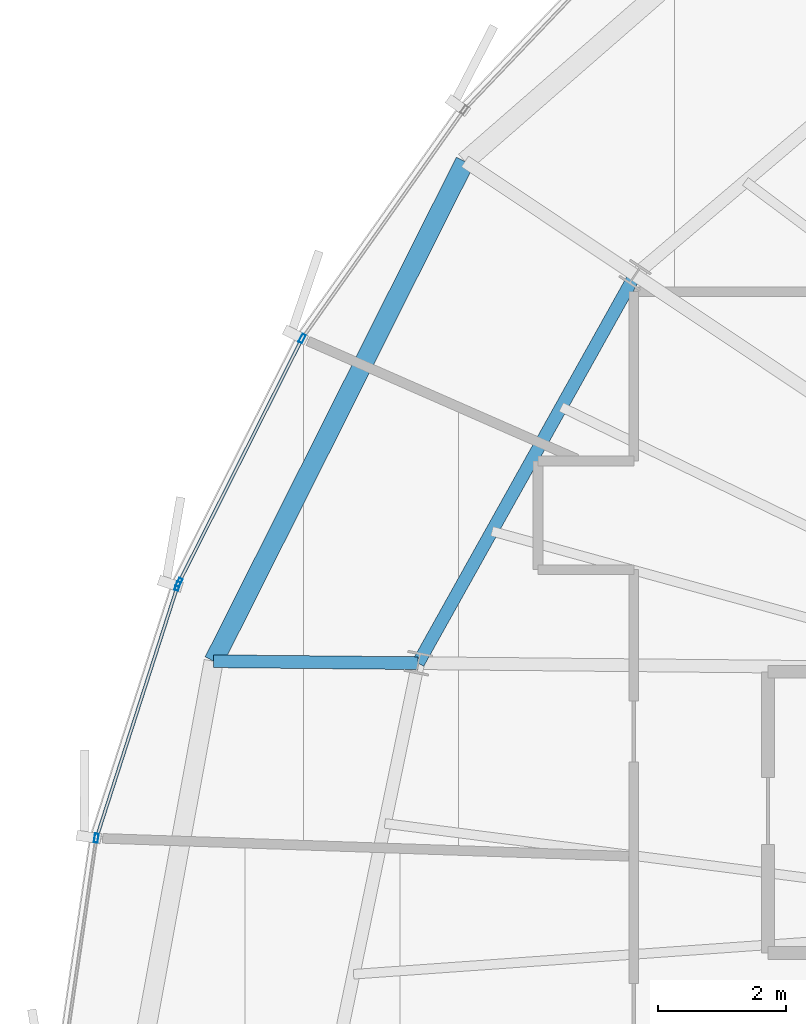
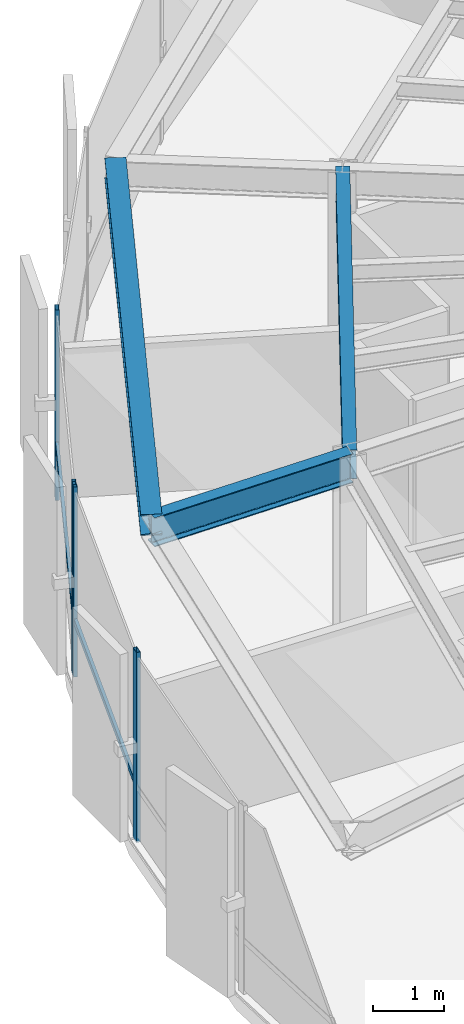
# One storey, part 10 of 35: 6 members, 3 beams, 2 elements without a shape of their own.
"""IFC4 building model written with IfcOpenShell, lengths in metres."""

import ifcopenshell
import ifcopenshell.guid

model = None  # the IFC model being written
_history = None  # IfcOwnerHistory: only IFC2X3 demands one
_inside = {}  # id of a spatial element -> (the spatial element, [elements in it])
_under = {}  # id of a project, library or spatial element -> (it, [spatial elements below it])
_declared = {}  # id of a project -> (the project, [libraries it declares])
_typed = {}  # id of a type object -> (the type object, [elements of that type])
_made_of = {}  # id of a material, layer set ... -> (it, [elements and type objects made of it])


def new_model(schema):
    """Start an empty IFC model of exactly this schema.

    Asked for "IFC4X3", IfcOpenShell would pick the latest addendum, in which some entities
    have other attributes; the version numbers below select the first issue.
    IFC2X3 requires an IfcOwnerHistory on every rooted entity: one is made here for all.
    """
    global model, _history
    if schema == "IFC4X3":
        model = ifcopenshell.file(schema_version=(4, 3, 0, 0))
    else:
        model = ifcopenshell.file(schema=schema)
    _inside.clear()
    _under.clear()
    _declared.clear()
    _typed.clear()
    _made_of.clear()
    _history = None
    if model.schema == "IFC2X3":
        org = make("IfcOrganization", Name="unknown")
        user = make(
            "IfcPersonAndOrganization",
            ThePerson=make("IfcPerson", FamilyName="unknown"),
            TheOrganization=org,
        )
        app = make(
            "IfcApplication",
            ApplicationDeveloper=org,
            Version="unknown",
            ApplicationFullName="unknown",
            ApplicationIdentifier="unknown",
        )
        _history = make(
            "IfcOwnerHistory",
            OwningUser=user,
            OwningApplication=app,
            ChangeAction="ADDED",
            CreationDate=0,
        )
    return model


def make(cls, **values):
    """One entity of the class cls with the attributes given. An attribute that is None is left unset."""
    return model.create_entity(
        cls, **{name: value for name, value in values.items() if value is not None}
    )


def rooted(cls, **values):
    """An entity with a GlobalId (a new one), such as an element, a storey or a relation."""
    return make(cls, GlobalId=ifcopenshell.guid.new(), OwnerHistory=_history, **values)


def si_unit(unit_type, name, prefix=None):
    """IfcSIUnit, for example si_unit("LENGTHUNIT", "METRE", prefix="MILLI")."""
    return make("IfcSIUnit", UnitType=unit_type, Prefix=prefix, Name=name)


def assignment(units):
    """IfcUnitAssignment: the units of a project."""
    return None if units is None else make("IfcUnitAssignment", Units=units)


def point(xyz):
    """IfcCartesianPoint."""
    return None if xyz is None else make("IfcCartesianPoint", Coordinates=xyz)


def direction(xyz):
    """IfcDirection."""
    return None if xyz is None else make("IfcDirection", DirectionRatios=xyz)


def frame(location, z_axis=None, x_axis=None):
    """IfcAxis2Placement3D, a coordinate frame: its origin and axes. An axis left out is left unset."""
    return make(
        "IfcAxis2Placement3D",
        Location=point(location),
        Axis=direction(z_axis),
        RefDirection=direction(x_axis),
    )


def frame_2d(location, x_axis=None):
    """IfcAxis2Placement2D, a coordinate frame in the plane: its origin and x axis."""
    return make(
        "IfcAxis2Placement2D", Location=point(location), RefDirection=direction(x_axis)
    )


def origin():
    """The frame at (0, 0, 0) with its axes left unset."""
    return frame((0.0, 0.0, 0.0))


def origin_2d():
    """The frame at (0, 0) in the plane with its x axis left unset."""
    return frame_2d((0.0, 0.0))


def place(relative_to, where):
    """IfcLocalPlacement: puts the frame where relative to a parent placement (None: the world)."""
    return make(
        "IfcLocalPlacement", PlacementRelTo=relative_to, RelativePlacement=where
    )


def context(
    kind, dimensions, precision=None, world=None, true_north=None, identifier=None
):
    """IfcGeometricRepresentationContext, for example the 3D "Model" context."""
    return make(
        "IfcGeometricRepresentationContext",
        ContextIdentifier=identifier,
        ContextType=kind,
        CoordinateSpaceDimension=dimensions,
        Precision=precision,
        WorldCoordinateSystem=world,
        TrueNorth=true_north,
    )


def subcontext(parent, identifier, kind, view, scale=None):
    """IfcGeometricRepresentationSubContext, for example "Body" below "Model"."""
    return make(
        "IfcGeometricRepresentationSubContext",
        ContextIdentifier=identifier,
        ContextType=kind,
        ParentContext=parent,
        TargetScale=scale,
        TargetView=view,
    )


def project(units=None, contexts=None):
    """IfcProject with its units and contexts."""
    return rooted(
        "IfcProject",
        Name="project",
        RepresentationContexts=contexts,
        UnitsInContext=assignment(units),
    )


def spatial(cls, under=None, at=None, **own):
    """A site, building, storey or space (cls), placed at a placement, below another one or the project."""
    s = rooted(cls, ObjectPlacement=at, **own)
    if under is not None:
        _under.setdefault(under.id(), (under, []))[1].append(s)
    return s


def profile(cls, at=None, kind="AREA", **sizes):
    """A parametric profile (cls). Its sizes go by their IFC names, for example OverallWidth=200.0."""
    return make(cls, ProfileType=kind, Position=at, **sizes)


def hollow_rectangle(**sizes):
    """IfcRectangleHollowProfileDef."""
    return profile("IfcRectangleHollowProfileDef", **sizes)


def i_section(**sizes):
    """IfcIShapeProfileDef."""
    return profile("IfcIShapeProfileDef", **sizes)


def extrude(swept, where, along, depth):
    """IfcExtrudedAreaSolid: the profile swept, set in the frame where, extruded along a direction by depth."""
    return make(
        "IfcExtrudedAreaSolid",
        SweptArea=swept,
        Position=where,
        ExtrudedDirection=direction(along),
        Depth=depth,
    )


def shape(context_of_items, identifier, shape_type, items):
    """IfcShapeRepresentation: the items that make up one representation, for example the "Body"."""
    return make(
        "IfcShapeRepresentation",
        ContextOfItems=context_of_items,
        RepresentationIdentifier=identifier,
        RepresentationType=shape_type,
        Items=items,
    )


def source(mapping_origin, context_of_items, identifier, shape_type, items):
    """IfcRepresentationMap: a shape defined once, which mapped items show again and again."""
    return make(
        "IfcRepresentationMap",
        MappingOrigin=mapping_origin,
        MappedRepresentation=shape(context_of_items, identifier, shape_type, items),
    )


def transform(
    local_origin,
    x_axis=None,
    y_axis=None,
    z_axis=None,
    scale=None,
    scale2=None,
    scale3=None,
    uniform=True,
):
    """IfcCartesianTransformationOperator3D, or its non-uniform kind. x_axis, y_axis, z_axis: its Axis1, 2, 3."""
    if uniform:
        return make(
            "IfcCartesianTransformationOperator3D",
            Axis1=direction(x_axis),
            Axis2=direction(y_axis),
            LocalOrigin=point(local_origin),
            Scale=scale,
            Axis3=direction(z_axis),
        )
    return make(
        "IfcCartesianTransformationOperator3DnonUniform",
        Axis1=direction(x_axis),
        Axis2=direction(y_axis),
        LocalOrigin=point(local_origin),
        Scale=scale,
        Axis3=direction(z_axis),
        Scale2=scale2,
        Scale3=scale3,
    )


def mapped(mapping_source, mapping_target):
    """IfcMappedItem: shows the shape of a source again, moved by a transform."""
    return make(
        "IfcMappedItem", MappingSource=mapping_source, MappingTarget=mapping_target
    )


def material(Name=None, Category=None):
    """IfcMaterial."""
    return make("IfcMaterial", Name=Name, Category=Category)


def layer(
    of_material, thickness, ventilated=None, Name=None, Category=None, Priority=None
):
    """IfcMaterialLayer: one layer of a wall or slab, of a material (None: an air gap)."""
    return make(
        "IfcMaterialLayer",
        Material=of_material,
        LayerThickness=thickness,
        IsVentilated=ventilated,
        Name=Name,
        Category=Category,
        Priority=Priority,
    )


def layer_set(layers, Name=None):
    """IfcMaterialLayerSet."""
    return make("IfcMaterialLayerSet", MaterialLayers=layers, LayerSetName=Name)


def material_profile(
    of_material, cross_section, Name=None, Category=None, Priority=None
):
    """IfcMaterialProfile: a cross section and its material."""
    return make(
        "IfcMaterialProfile",
        Name=Name,
        Material=of_material,
        Profile=cross_section,
        Priority=Priority,
        Category=Category,
    )


def profile_set(profiles, Name=None, composite=None):
    """IfcMaterialProfileSet."""
    return make(
        "IfcMaterialProfileSet",
        Name=Name,
        MaterialProfiles=profiles,
        CompositeProfile=composite,
    )


def made_of(thing, what):
    """Note that an element or type object is made of a material, layer set ...; save() writes the relation."""
    if what is not None:
        _made_of.setdefault(what.id(), (what, []))[1].append(thing)
    return thing


def type_object(cls, material=None, **own):
    """A type object (cls), such as IfcWallType, which elements share."""
    return made_of(rooted(cls, **own), material)


def element(
    cls,
    number,
    at=None,
    inside=None,
    cuts=None,
    type_object=None,
    material=None,
    context=None,
    identifier="Body",
    shape_type=None,
    held_by="IfcProductDefinitionShape",
    body=None,
    shapes=None,
    **own,
):
    """One element of the class cls, such as IfcWall. Its Tag is "e" and its number.

    at: its placement. inside: the storey or other place that contains it. cuts: it is an
    opening in that element (IfcRelVoidsElement). A single representation is given by context,
    identifier, shape_type and body (its items); several are given by shapes. held_by: the class
    of the entity that holds the representations. save() writes the other relations.
    """
    e = rooted(cls, Tag="e%d" % number, ObjectPlacement=at, **own)
    if body is not None:
        shapes = [shape(context, identifier, shape_type, body)]
    if shapes is not None:
        e.Representation = make(held_by, Representations=shapes)
    if inside is not None:
        _inside.setdefault(inside.id(), (inside, []))[1].append(e)
    if cuts is not None:
        rooted(
            "IfcRelVoidsElement", RelatingBuildingElement=cuts, RelatedOpeningElement=e
        )
    if type_object is not None:
        _typed.setdefault(type_object.id(), (type_object, []))[1].append(e)
    return made_of(e, material)


def aggregate(whole, parts):
    """IfcRelAggregates: a whole, such as a stair, and the parts it consists of."""
    return rooted("IfcRelAggregates", RelatingObject=whole, RelatedObjects=parts)


def save(model, path):
    """Write the relations noted so far, then the file.

    IfcRelAggregates (storeys below a building ...), IfcRelContainedInSpatialStructure (elements
    in a storey), IfcRelDefinesByType, IfcRelAssociatesMaterial and IfcRelDeclares: one each for
    every whole, place, type object, material and project.
    """
    for whole, parts in _under.values():
        aggregate(whole, parts)
    for where, things in _inside.values():
        rooted(
            "IfcRelContainedInSpatialStructure",
            RelatedElements=things,
            RelatingStructure=where,
        )
    for kind, things in _typed.values():
        rooted("IfcRelDefinesByType", RelatedObjects=things, RelatingType=kind)
    for what, things in _made_of.values():
        rooted("IfcRelAssociatesMaterial", RelatedObjects=things, RelatingMaterial=what)
    for by, libraries in _declared.values():
        rooted("IfcRelDeclares", RelatingContext=by, RelatedDefinitions=libraries)
    model.write(path)


model = new_model("IFC4")

# Units and contexts
model_context = context("Model", 3, precision=1e-05, world=origin(), true_north=direction((0.0, 1.0)))
body_context = subcontext(model_context, "Body", "Model", "MODEL_VIEW")
ifc_project = project(units=[si_unit("LENGTHUNIT", "METRE"), si_unit("AREAUNIT", "SQUARE_METRE"), si_unit("VOLUMEUNIT", "CUBIC_METRE"), si_unit("PLANEANGLEUNIT", "RADIAN"), si_unit("MASSUNIT", "GRAM", prefix="KILO"), si_unit("THERMODYNAMICTEMPERATUREUNIT", "KELVIN")], contexts=[model_context])

# Site, building, storey
site_placement = place(None, origin())
site = spatial("IfcSite", under=ifc_project, at=site_placement, CompositionType="ELEMENT")
building_placement = place(site_placement, origin())
building = spatial("IfcBuilding", under=site, at=building_placement, Name="Kethvar Cultural Tower", CompositionType="ELEMENT")
storey_placement = place(building_placement, frame((0.0, 0.0, 204.39990234375)))
storey = spatial("IfcBuildingStorey", under=building, at=storey_placement, Name="L53", CompositionType="ELEMENT", Elevation=204.39990234375)

# Beams
ifc_material_1 = material(Name="Steel S355J2", Category="steel")
ifc_material_profile_1 = material_profile(ifc_material_1, i_section(OverallWidth=0.199951171875, OverallDepth=0.5, WebThickness=0.01025390625, FlangeThickness=0.01611328125, FilletRadius=0.02099609375, at=origin_2d()), Name="Steel S355J2 — IPE500")
ifc_profile_set_1 = profile_set([ifc_material_profile_1], Name="Steel S355J2 — IPE500")
beam_type_1 = type_object("IfcBeamType", Name="BM-IPE500", PredefinedType="BEAM", material=ifc_profile_set_1)
shared_shape_1 = source(origin(), body_context, "Body", "SweptSolid", [
    extrude(i_section(OverallWidth=0.199951171875, OverallDepth=0.5, WebThickness=0.01025390625, FlangeThickness=0.01611328125, FilletRadius=0.02099609375, at=origin_2d()), origin(), (0.0, 0.0, 1.0), 3.2001953125),
])
beam_1_placement = place(storey_placement, frame((29.02490234375, 31.335693359375, 3.008056640625), z_axis=(-0.999954526979, 0.009536455014, 0.0), x_axis=(-0.009536455014, -0.999954526979, 0.0)))
element("IfcBeam", 1, at=beam_1_placement, inside=storey, type_object=beam_type_1, Name="L53 Perimeter Cantilever Beam RC-08", PredefinedType="BEAM", context=body_context, shape_type="MappedRepresentation", body=[
    mapped(shared_shape_1, transform((0.0, 0.0, 0.0), scale=1.0)),
])
shared_shape_2 = source(origin(), body_context, "Body", "SweptSolid", [
    extrude(i_section(OverallWidth=0.199951171875, OverallDepth=0.5, WebThickness=0.01025390625, FlangeThickness=0.01611328125, FilletRadius=0.02099609375, at=origin_2d()), origin(), (0.0, 0.0, 1.0), 6.957275390625),
])
beam_2_placement = place(storey_placement, frame((32.418212890625, 37.409423828125, 3.008056640625), z_axis=(-0.487730122968, -0.872994459976, 0.0), x_axis=(0.872994459976, -0.487730122968, 0.0)))
element("IfcBeam", 2, at=beam_2_placement, inside=storey, type_object=beam_type_1, Name="L53 Column Ring Tie Beam CR-07", PredefinedType="BEAM", context=body_context, shape_type="MappedRepresentation", body=[
    mapped(shared_shape_2, transform((0.0, 0.0, 0.0), scale=1.0)),
])
ifc_material_profile_2 = material_profile(ifc_material_1, i_section(OverallWidth=0.300048828125, OverallDepth=0.360107421875, WebThickness=0.012451171875, FlangeThickness=0.0224609375, FilletRadius=0.027099609375, at=origin_2d()), Name="Steel S355J2 — HEB360")
ifc_profile_set_2 = profile_set([ifc_material_profile_2], Name="Steel S355J2 — HEB360")
beam_type_2 = type_object("IfcBeamType", Name="BM-SP360", PredefinedType="SPANDREL", material=ifc_profile_set_2)
shared_shape_3 = source(origin(), body_context, "Body", "SweptSolid", [
    extrude(i_section(OverallWidth=0.300048828125, OverallDepth=0.360107421875, WebThickness=0.012451171875, FlangeThickness=0.0224609375, FilletRadius=0.027099609375, at=origin_2d()), origin(), (0.0, 0.0, 1.0), 8.754150390625),
])
beam_3_placement = place(storey_placement, frame((29.757568359375, 39.187255859375, 3.078125), z_axis=(-0.449231599727, -0.893415340033, 0.0), x_axis=(0.893415340033, -0.449231599727, 0.0)))
element("IfcBeam", 3, at=beam_3_placement, inside=storey, type_object=beam_type_2, Name="L53 Perimeter Spandrel Beam SP-07", PredefinedType="SPANDREL", context=body_context, shape_type="MappedRepresentation", body=[
    mapped(shared_shape_3, transform((0.0, 0.0, 0.0), scale=1.0)),
])

# Curtain wall, member
ifc_material_2 = material(Name="Aluminium 6063-T6", Category="aluminium")
ifc_layer = layer(ifc_material_2, 0.179931640625, Name="Aluminium 6063-T6", Category="aluminium")
ifc_layer_set = layer_set([ifc_layer], Name="Aluminium 6063-T6 (180 mm)")
curtain_wall_type = type_object("IfcCurtainWallType", Name="CW-SYS-04-Z34", PredefinedType="NOTDEFINED", material=ifc_layer_set)
curtain_wall_1_placement = place(storey_placement, origin())
curtain_wall_1 = element("IfcCurtainWall", 4, at=curtain_wall_1_placement, inside=storey, type_object=curtain_wall_type, Name="L53 Curtain Wall Run 03", PredefinedType="NOTDEFINED")
ifc_material_profile_3 = material_profile(ifc_material_2, hollow_rectangle(XDim=0.050048828125, YDim=0.10009765625, WallThickness=0.00390625, at=origin_2d()), Name="Aluminium 6063-T6 — RHS100x50x4")
ifc_profile_set_3 = profile_set([ifc_material_profile_3], Name="Aluminium 6063-T6 — RHS100x50x4")
member_type_1 = type_object("IfcMemberType", Name="CW-SYS-04-Z34-TRN", PredefinedType="USERDEFINED", material=ifc_profile_set_3)
shared_shape_4 = source(origin(), body_context, "Body", "SweptSolid", [
    extrude(hollow_rectangle(XDim=0.050048828125, YDim=0.10009765625, WallThickness=0.00390625, at=origin_2d()), origin(), (0.0, 0.0, 1.0), 4.11572265625),
])
member_1_placement = place(storey_placement, frame((25.25830078125, 32.53857421875, 0.9501953125), z_axis=(-0.306387432243, -0.951906897424, 0.0), x_axis=(0.951906897424, -0.306387432243, 0.0)))
member_1 = element("IfcMember", 5, at=member_1_placement, type_object=member_type_1, Name="CW-L53-R03 Transom 1", ObjectType="TRANSOM", PredefinedType="USERDEFINED", context=body_context, shape_type="MappedRepresentation", body=[
    mapped(shared_shape_4, transform((0.0, 0.0, 0.0), scale=1.0)),
])

# Curtain wall, members
curtain_wall_2_placement = place(storey_placement, origin())
curtain_wall_2 = element("IfcCurtainWall", 6, at=curtain_wall_2_placement, inside=storey, type_object=curtain_wall_type, Name="L53 Curtain Wall Run 02", PredefinedType="NOTDEFINED")
ifc_material_profile_4 = material_profile(ifc_material_2, hollow_rectangle(XDim=0.06005859375, YDim=0.139892578125, WallThickness=0.0048828125, at=origin_2d()), Name="Aluminium 6063-T6 — RHS140x60x5")
ifc_profile_set_4 = profile_set([ifc_material_profile_4], Name="Aluminium 6063-T6 — RHS140x60x5")
member_type_2 = type_object("IfcMemberType", Name="CW-SYS-04-Z34-MUL", PredefinedType="MULLION", material=ifc_profile_set_4)
shared_shape_5 = source(origin(), body_context, "Body", "SweptSolid", [
    extrude(hollow_rectangle(XDim=0.06005859375, YDim=0.139892578125, WallThickness=0.0048828125, at=origin_2d()), origin(), (0.0, 0.0, 1.0), 3.260009765625),
])
member_2_placement = place(storey_placement, frame((27.2099609375, 36.417236328125, 0.0), z_axis=(0.0, 0.0, 1.0), x_axis=(0.892743150022, -0.450565941999, 0.0)))
member_2 = element("IfcMember", 7, at=member_2_placement, type_object=member_type_2, Name="CW-L53-R02 Mullion 6", PredefinedType="MULLION", context=body_context, shape_type="MappedRepresentation", body=[
    mapped(shared_shape_5, transform((0.0, 0.0, 0.0), scale=1.0)),
])
member_3_placement = place(storey_placement, frame((25.28271484375, 32.5986328125, 0.0), z_axis=(0.0, 0.0, 1.0), x_axis=(0.892743150022, -0.450565941999, 0.0)))
member_3 = element("IfcMember", 8, at=member_3_placement, type_object=member_type_2, Name="CW-L53-R02 Mullion 7", PredefinedType="MULLION", context=body_context, shape_type="MappedRepresentation", body=[
    mapped(shared_shape_5, transform((0.0, 0.0, 0.0), scale=1.0)),
])

# Member
member_4_placement = place(storey_placement, frame((25.259765625, 32.54248046875, 0.0), z_axis=(0.0, 0.0, 1.0), x_axis=(0.95189435487, -0.306426397635, 0.0)))
member_4 = element("IfcMember", 9, at=member_4_placement, type_object=member_type_2, Name="CW-L53-R03 Mullion 1", PredefinedType="MULLION", context=body_context, shape_type="MappedRepresentation", body=[
    mapped(shared_shape_5, transform((0.0, 0.0, 0.0), scale=1.0)),
])

member_5_placement = place(storey_placement, frame((23.988037109375, 28.597412109375, 0.0), z_axis=(0.0, 0.0, 1.0), x_axis=(0.989386761177, -0.145306010913, 0.0)))
member_5 = element("IfcMember", 10, at=member_5_placement, type_object=member_type_2, Name="CW-L53-R03 Mullion 2", PredefinedType="MULLION", context=body_context, shape_type="MappedRepresentation", body=[
    mapped(shared_shape_5, transform((0.0, 0.0, 0.0), scale=1.0)),
])

aggregate(curtain_wall_1, [member_4, member_5, member_1])

shared_shape_6 = source(origin(), body_context, "Body", "SweptSolid", [
    extrude(hollow_rectangle(XDim=0.050048828125, YDim=0.10009765625, WallThickness=0.00390625, at=origin_2d()), origin(), (0.0, 0.0, 1.0), 4.230224609375),
])
member_6_placement = place(storey_placement, frame((27.1904296875, 36.37890625, 0.9501953125), z_axis=(-0.450511762936, -0.892770492039, 0.0), x_axis=(0.892770492039, -0.450511762936, 0.0)))
member_6 = element("IfcMember", 11, at=member_6_placement, type_object=member_type_1, Name="CW-L53-R02 Transom 6", ObjectType="TRANSOM", PredefinedType="USERDEFINED", context=body_context, shape_type="MappedRepresentation", body=[
    mapped(shared_shape_6, transform((0.0, 0.0, 0.0), scale=1.0)),
])

aggregate(curtain_wall_2, [member_2, member_3, member_6])

save(model, "model.ifc")
